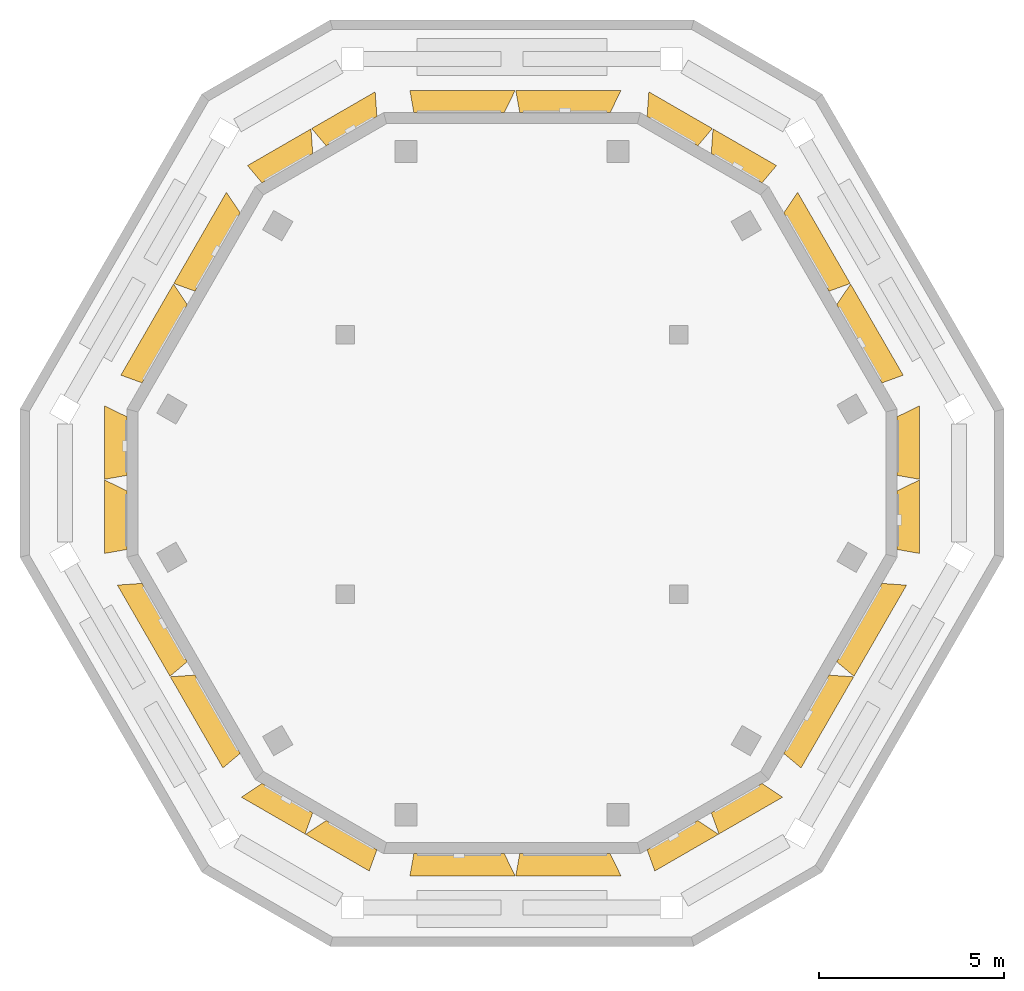
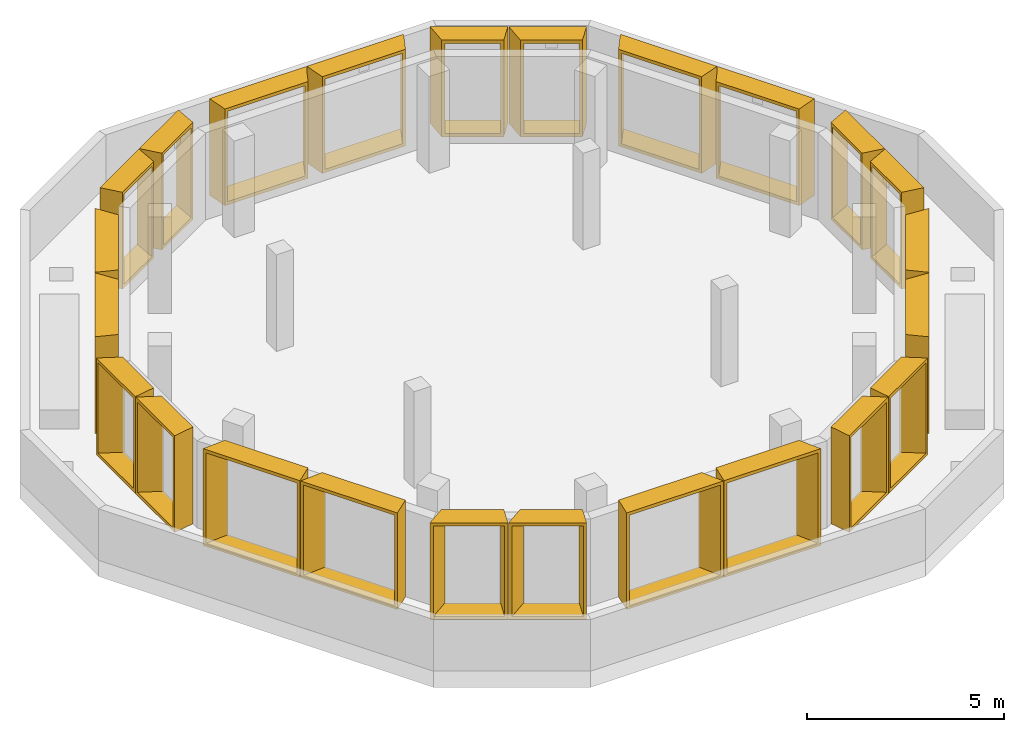
# One storey, part 3 of 4: 24 shading devices.
"""IFC4 building model written with IfcOpenShell, lengths in metres."""

from ifc_helpers import new_model, entity, si_unit, direction, frame, origin, place, context, subcontext, project, spatial, source, transform, mapped, material, type_object, type_shapes, element, save


model = new_model("IFC4")

# Units and contexts
model_context = context("Model", 3, precision=1e-05, world=origin(), true_north=direction((0.0, 1.0)))
body_context = subcontext(model_context, "Body", "Model", "MODEL_VIEW")
ifc_project = project(units=[si_unit("LENGTHUNIT", "METRE"), si_unit("AREAUNIT", "SQUARE_METRE"), si_unit("VOLUMEUNIT", "CUBIC_METRE"), si_unit("PLANEANGLEUNIT", "RADIAN"), si_unit("MASSUNIT", "GRAM", prefix="KILO")], contexts=[model_context])

# Site, building, storey
site_placement = place(None, origin())
site = spatial("IfcSite", under=ifc_project, at=site_placement, CompositionType="ELEMENT")
building_placement = place(site_placement, origin())
building = spatial("IfcBuilding", under=site, at=building_placement, Name="Beryl Residences", CompositionType="ELEMENT")
storey_placement = place(building_placement, frame((0.0, 0.0, 256.800048828125)))
storey = spatial("IfcBuildingStorey", under=building, at=storey_placement, Name="L80", CompositionType="ELEMENT", Elevation=256.800048828125)

# Shading devices
ifc_material_1 = material(Name="Aluminium pale anodised", Category="aluminium")
shading_device_type_1 = type_object("IfcShadingDeviceType", Name="FR200-60B OUTER SKIN frame 600 mm deep, splay 26/10 deg, 2000 x 3000 mm cell", PredefinedType="USERDEFINED", material=ifc_material_1)
cartesian_point_1 = entity("IfcCartesianPoint", [-0.79052734375, 0.0])
cartesian_point_2 = entity("IfcCartesianPoint", [-0.701416015625, 0.10009765625])
cartesian_point_3 = entity("IfcCartesianPoint", [-1.083251953125, 0.0])
cartesian_point_4 = entity("IfcCartesianPoint", [-0.994140625, 0.10009765625])
shared_shape_1 = source(origin(), body_context, "Body", "SweptSolid", [
    entity("IfcExtrudedAreaSolidTapered", entity("IfcArbitraryProfileDefWithVoids", "AREA", None, entity("IfcPolyline", [cartesian_point_1, entity("IfcCartesianPoint", [0.79052734375, 0.0]), entity("IfcCartesianPoint", [0.79052734375, 3.0]), entity("IfcCartesianPoint", [-0.79052734375, 3.0]), cartesian_point_1]), [entity("IfcPolyline", [cartesian_point_2, entity("IfcCartesianPoint", [0.709228515625, 0.10009765625]), entity("IfcCartesianPoint", [0.709228515625, 2.89990234375]), entity("IfcCartesianPoint", [-0.701416015625, 2.89990234375]), cartesian_point_2])]), entity("IfcAxis2Placement3D", entity("IfcCartesianPoint", [0.0, 0.0, 0.0]), entity("IfcDirection", [0.0, 1.0, 0.0]), entity("IfcDirection", [-1.0, 0.0, 0.0])), entity("IfcDirection", [0.0, 0.0, 1.0]), 0.60009765625, entity("IfcArbitraryProfileDefWithVoids", "AREA", None, entity("IfcPolyline", [cartesian_point_3, entity("IfcCartesianPoint", [0.896240234375, 0.0]), entity("IfcCartesianPoint", [0.896240234375, 3.0]), entity("IfcCartesianPoint", [-1.083251953125, 3.0]), cartesian_point_3]), [entity("IfcPolyline", [cartesian_point_4, entity("IfcCartesianPoint", [0.81494140625, 0.10009765625]), entity("IfcCartesianPoint", [0.81494140625, 2.89990234375]), entity("IfcCartesianPoint", [-0.994140625, 2.89990234375]), cartesian_point_4])])),
])
type_shapes(shading_device_type_1, [shared_shape_1])
for number, where, z_axis, x_axis, name in (
    (1, (-4.3310546875, 9.5, 0.0), (0.0, 0.0, 1.0), (0.866025403784, 0.5, 0.0), "FR200-60B frame L80 N-NW 1"),
    (2, (-6.06298828125, 8.5, 0.0), (0.0, 0.0, 1.0), (0.866025403784, 0.5, 0.0), "FR200-60B frame L80 N-NW 2"),
    (3, (-10.39208984375, 1.0, 0.0), (0.0, 0.0, 1.0), (0.0, 1.0, 0.0), "FR200-60B frame L80 NW-SW 1"),
    (4, (-10.39208984375, -1.0, 0.0), (0.0, 0.0, 1.0), (0.0, 1.0, 0.0), "FR200-60B frame L80 NW-SW 2"),
    (5, (-6.06298828125, -8.5, 0.0), (0.0, 0.0, 1.0), (-0.866025403784, 0.5, 0.0), "FR200-60B frame L80 SW-S 1"),
    (6, (-4.3310546875, -9.5, 0.0), (0.0, 0.0, 1.0), (-0.866025403784, 0.5, 0.0), "FR200-60B frame L80 SW-S 2"),
):
    element("IfcShadingDevice", number, at=place(storey_placement, frame(where, z_axis=z_axis, x_axis=x_axis)), inside=storey, type_object=shading_device_type_1, Name=name, ObjectType="OUTER SKIN", PredefinedType="USERDEFINED", context=body_context, shape_type="MappedRepresentation", body=[
        mapped(shared_shape_1, transform((0.0, 0.0, 0.0))),
    ])
ifc_material_2 = material(Name="Aluminium pale anodised", Category="aluminium")
shading_device_type_2 = type_object("IfcShadingDeviceType", Name="FR200-60C OUTER SKIN frame 600 mm deep, splay 10/26 deg, 2000 x 3000 mm cell", PredefinedType="USERDEFINED", material=ifc_material_2)
cartesian_point_5 = entity("IfcCartesianPoint", [-0.79052734375, 0.0])
cartesian_point_6 = entity("IfcCartesianPoint", [-0.709228515625, 0.10009765625])
cartesian_point_7 = entity("IfcCartesianPoint", [-0.896240234375, 0.0])
cartesian_point_8 = entity("IfcCartesianPoint", [-0.81494140625, 0.10009765625])
shared_shape_2 = source(origin(), body_context, "Body", "SweptSolid", [
    entity("IfcExtrudedAreaSolidTapered", entity("IfcArbitraryProfileDefWithVoids", "AREA", None, entity("IfcPolyline", [cartesian_point_5, entity("IfcCartesianPoint", [0.79052734375, 0.0]), entity("IfcCartesianPoint", [0.79052734375, 3.0]), entity("IfcCartesianPoint", [-0.79052734375, 3.0]), cartesian_point_5]), [entity("IfcPolyline", [cartesian_point_6, entity("IfcCartesianPoint", [0.701416015625, 0.10009765625]), entity("IfcCartesianPoint", [0.701416015625, 2.89990234375]), entity("IfcCartesianPoint", [-0.709228515625, 2.89990234375]), cartesian_point_6])]), entity("IfcAxis2Placement3D", entity("IfcCartesianPoint", [0.0, 0.0, 0.0]), entity("IfcDirection", [0.0, 1.0, 0.0]), entity("IfcDirection", [-1.0, 0.0, 0.0])), entity("IfcDirection", [0.0, 0.0, 1.0]), 0.60009765625, entity("IfcArbitraryProfileDefWithVoids", "AREA", None, entity("IfcPolyline", [cartesian_point_7, entity("IfcCartesianPoint", [1.083251953125, 0.0]), entity("IfcCartesianPoint", [1.083251953125, 3.0]), entity("IfcCartesianPoint", [-0.896240234375, 3.0]), cartesian_point_7]), [entity("IfcPolyline", [cartesian_point_8, entity("IfcCartesianPoint", [0.994140625, 0.10009765625]), entity("IfcCartesianPoint", [0.994140625, 2.89990234375]), entity("IfcCartesianPoint", [-0.81494140625, 2.89990234375]), cartesian_point_8])])),
])
type_shapes(shading_device_type_2, [shared_shape_2])
for number, where, z_axis, x_axis, name in (
    (7, (4.3310546875, -9.5, 0.0), (0.0, 0.0, 1.0), (-0.866025403784, -0.5, 0.0), "FR200-60C frame L80 S-SE 1"),
    (8, (6.06298828125, -8.5, 0.0), (0.0, 0.0, 1.0), (-0.866025403784, -0.5, 0.0), "FR200-60C frame L80 S-SE 2"),
    (9, (10.39208984375, -1.0, 0.0), (0.0, 0.0, 1.0), (0.0, -1.0, 0.0), "FR200-60C frame L80 SE-NE 1"),
    (10, (10.39208984375, 1.0, 0.0), (0.0, 0.0, 1.0), (0.0, -1.0, 0.0), "FR200-60C frame L80 SE-NE 2"),
    (11, (6.06298828125, 8.5, 0.0), (0.0, 0.0, 1.0), (0.866025403784, -0.5, 0.0), "FR200-60C frame L80 NE-N 1"),
    (12, (4.3310546875, 9.5, 0.0), (0.0, 0.0, 1.0), (0.866025403784, -0.5, 0.0), "FR200-60C frame L80 NE-N 2"),
):
    element("IfcShadingDevice", number, at=place(storey_placement, frame(where, z_axis=z_axis, x_axis=x_axis)), inside=storey, type_object=shading_device_type_2, Name=name, ObjectType="OUTER SKIN", PredefinedType="USERDEFINED", context=body_context, shape_type="MappedRepresentation", body=[
        mapped(shared_shape_2, transform((0.0, 0.0, 0.0))),
    ])
ifc_material_3 = material(Name="Aluminium pale anodised", Category="aluminium")
shading_device_type_3 = type_object("IfcShadingDeviceType", Name="FR286-60B OUTER SKIN frame 600 mm deep, splay 26/10 deg, 2860 x 3000 mm cell", PredefinedType="USERDEFINED", material=ifc_material_3)
cartesian_point_9 = entity("IfcCartesianPoint", [-1.220458984375, 0.0])
cartesian_point_10 = entity("IfcCartesianPoint", [-1.131591796875, 0.10009765625])
cartesian_point_11 = entity("IfcCartesianPoint", [-1.51318359375, 0.0])
cartesian_point_12 = entity("IfcCartesianPoint", [-1.424072265625, 0.10009765625])
shared_shape_3 = source(origin(), body_context, "Body", "SweptSolid", [
    entity("IfcExtrudedAreaSolidTapered", entity("IfcArbitraryProfileDefWithVoids", "AREA", None, entity("IfcPolyline", [cartesian_point_9, entity("IfcCartesianPoint", [1.220458984375, 0.0]), entity("IfcCartesianPoint", [1.220458984375, 3.0]), entity("IfcCartesianPoint", [-1.220458984375, 3.0]), cartesian_point_9]), [entity("IfcPolyline", [cartesian_point_10, entity("IfcCartesianPoint", [1.13916015625, 0.10009765625]), entity("IfcCartesianPoint", [1.13916015625, 2.89990234375]), entity("IfcCartesianPoint", [-1.131591796875, 2.89990234375]), cartesian_point_10])]), entity("IfcAxis2Placement3D", entity("IfcCartesianPoint", [0.0, 0.0, 0.0]), entity("IfcDirection", [0.0, 1.0, 0.0]), entity("IfcDirection", [-1.0, 0.0, 0.0])), entity("IfcDirection", [0.0, 0.0, 1.0]), 0.60009765625, entity("IfcArbitraryProfileDefWithVoids", "AREA", None, entity("IfcPolyline", [cartesian_point_11, entity("IfcCartesianPoint", [1.326416015625, 0.0]), entity("IfcCartesianPoint", [1.326416015625, 3.0]), entity("IfcCartesianPoint", [-1.51318359375, 3.0]), cartesian_point_11]), [entity("IfcPolyline", [cartesian_point_12, entity("IfcCartesianPoint", [1.2451171875, 0.10009765625]), entity("IfcCartesianPoint", [1.2451171875, 2.89990234375]), entity("IfcCartesianPoint", [-1.424072265625, 2.89990234375]), cartesian_point_12])])),
])
type_shapes(shading_device_type_3, [shared_shape_3])
for number, where, z_axis, x_axis, name in (
    (13, (1.428955078125, 10.0, 0.0), (0.0, 0.0, 1.0), (1.0, 0.0, 0.0), "FR286-60B frame L80 N 1"),
    (14, (-1.428955078125, 10.0, 0.0), (0.0, 0.0, 1.0), (1.0, 0.0, 0.0), "FR286-60B frame L80 N 2"),
    (15, (-7.945068359375, 6.238037109375, 0.0), (0.0, 0.0, 1.0), (0.5, 0.866025403784, 0.0), "FR286-60B frame L80 NW 1"),
    (16, (-9.3740234375, 3.762939453125, 0.0), (0.0, 0.0, 1.0), (0.5, 0.866025403784, 0.0), "FR286-60B frame L80 NW 2"),
    (17, (-9.375, -3.761962890625, 0.0), (0.0, 0.0, 1.0), (-0.5, 0.866025403784, 0.0), "FR286-60B frame L80 SW 1"),
    (18, (-7.946044921875, -6.237060546875, 0.0), (0.0, 0.0, 1.0), (-0.5, 0.866025403784, 0.0), "FR286-60B frame L80 SW 2"),
):
    element("IfcShadingDevice", number, at=place(storey_placement, frame(where, z_axis=z_axis, x_axis=x_axis)), inside=storey, type_object=shading_device_type_3, Name=name, ObjectType="OUTER SKIN", PredefinedType="USERDEFINED", context=body_context, shape_type="MappedRepresentation", body=[
        mapped(shared_shape_3, transform((0.0, 0.0, 0.0))),
    ])
ifc_material_4 = material(Name="Aluminium pale anodised", Category="aluminium")
shading_device_type_4 = type_object("IfcShadingDeviceType", Name="FR286-60C OUTER SKIN frame 600 mm deep, splay 10/26 deg, 2860 x 3000 mm cell", PredefinedType="USERDEFINED", material=ifc_material_4)
cartesian_point_13 = entity("IfcCartesianPoint", [-1.220458984375, 0.0])
cartesian_point_14 = entity("IfcCartesianPoint", [-1.13916015625, 0.10009765625])
cartesian_point_15 = entity("IfcCartesianPoint", [-1.326416015625, 0.0])
cartesian_point_16 = entity("IfcCartesianPoint", [-1.2451171875, 0.10009765625])
shared_shape_4 = source(origin(), body_context, "Body", "SweptSolid", [
    entity("IfcExtrudedAreaSolidTapered", entity("IfcArbitraryProfileDefWithVoids", "AREA", None, entity("IfcPolyline", [cartesian_point_13, entity("IfcCartesianPoint", [1.220458984375, 0.0]), entity("IfcCartesianPoint", [1.220458984375, 3.0]), entity("IfcCartesianPoint", [-1.220458984375, 3.0]), cartesian_point_13]), [entity("IfcPolyline", [cartesian_point_14, entity("IfcCartesianPoint", [1.131591796875, 0.10009765625]), entity("IfcCartesianPoint", [1.131591796875, 2.89990234375]), entity("IfcCartesianPoint", [-1.13916015625, 2.89990234375]), cartesian_point_14])]), entity("IfcAxis2Placement3D", entity("IfcCartesianPoint", [0.0, 0.0, 0.0]), entity("IfcDirection", [0.0, 1.0, 0.0]), entity("IfcDirection", [-1.0, 0.0, 0.0])), entity("IfcDirection", [0.0, 0.0, 1.0]), 0.60009765625, entity("IfcArbitraryProfileDefWithVoids", "AREA", None, entity("IfcPolyline", [cartesian_point_15, entity("IfcCartesianPoint", [1.51318359375, 0.0]), entity("IfcCartesianPoint", [1.51318359375, 3.0]), entity("IfcCartesianPoint", [-1.326416015625, 3.0]), cartesian_point_15]), [entity("IfcPolyline", [cartesian_point_16, entity("IfcCartesianPoint", [1.424072265625, 0.10009765625]), entity("IfcCartesianPoint", [1.424072265625, 2.89990234375]), entity("IfcCartesianPoint", [-1.2451171875, 2.89990234375]), cartesian_point_16])])),
])
type_shapes(shading_device_type_4, [shared_shape_4])
for number, where, z_axis, x_axis, name in (
    (19, (-1.428955078125, -10.0, 0.0), (0.0, 0.0, 1.0), (-1.0, 0.0, 0.0), "FR286-60C frame L80 S 1"),
    (20, (1.428955078125, -10.0, 0.0), (0.0, 0.0, 1.0), (-1.0, 0.0, 0.0), "FR286-60C frame L80 S 2"),
    (21, (7.945068359375, -6.238037109375, 0.0), (0.0, 0.0, 1.0), (-0.5, -0.866025403784, 0.0), "FR286-60C frame L80 SE 1"),
    (22, (9.3740234375, -3.762939453125, 0.0), (0.0, 0.0, 1.0), (-0.5, -0.866025403784, 0.0), "FR286-60C frame L80 SE 2"),
    (23, (9.375, 3.761962890625, 0.0), (0.0, 0.0, 1.0), (0.5, -0.866025403784, 0.0), "FR286-60C frame L80 NE 1"),
    (24, (7.946044921875, 6.237060546875, 0.0), (0.0, 0.0, 1.0), (0.5, -0.866025403784, 0.0), "FR286-60C frame L80 NE 2"),
):
    element("IfcShadingDevice", number, at=place(storey_placement, frame(where, z_axis=z_axis, x_axis=x_axis)), inside=storey, type_object=shading_device_type_4, Name=name, ObjectType="OUTER SKIN", PredefinedType="USERDEFINED", context=body_context, shape_type="MappedRepresentation", body=[
        mapped(shared_shape_4, transform((0.0, 0.0, 0.0))),
    ])

save(model, "model.ifc")
